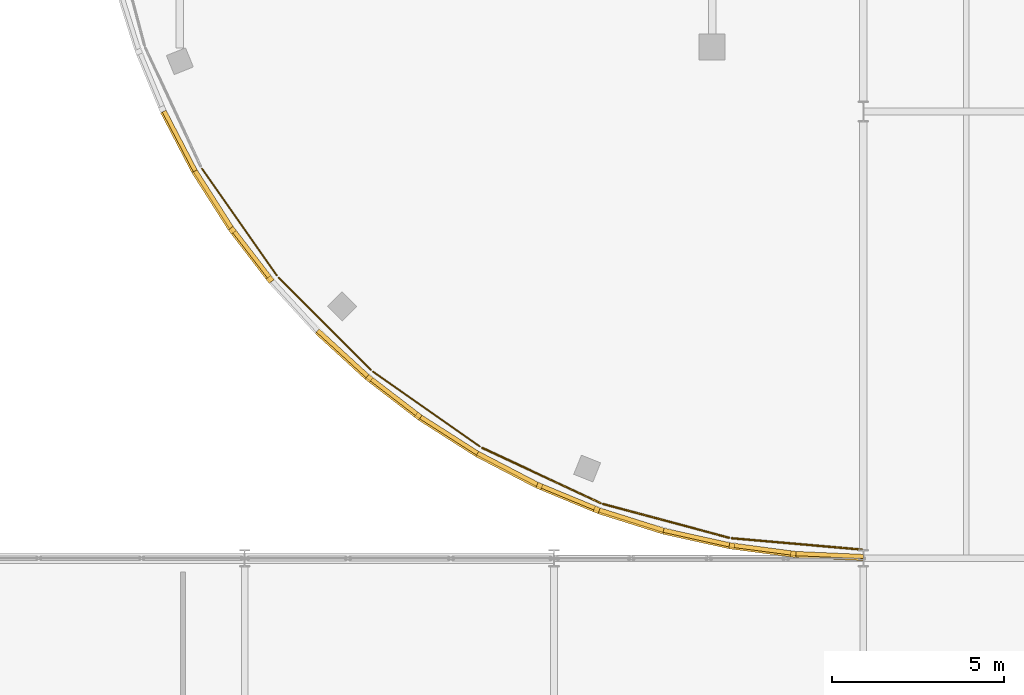
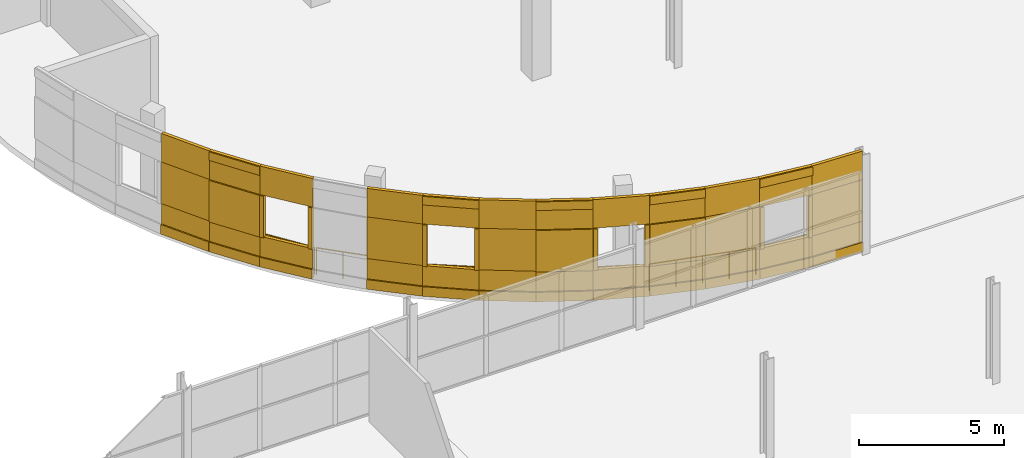
# One storey, part 128 of 140: 57 coverings, 6 railings.
"""IFC4 building model written with IfcOpenShell, lengths in metres."""

from ifc_helpers import new_model, si_unit, direction, frame, origin, origin_2d, place, context, subcontext, project, spatial, rectangle, circle, extrude, material, layer, layer_set, type_object, element, save


model = new_model("IFC4")

# Units and contexts
model_context = context("Model", 3, precision=1e-05, world=origin(), true_north=direction((0.0, 1.0)))
body_context = subcontext(model_context, "Body", "Model", "MODEL_VIEW")
ifc_project = project(units=[si_unit("LENGTHUNIT", "METRE"), si_unit("AREAUNIT", "SQUARE_METRE"), si_unit("VOLUMEUNIT", "CUBIC_METRE"), si_unit("PLANEANGLEUNIT", "RADIAN"), si_unit("MASSUNIT", "GRAM", prefix="KILO")], contexts=[model_context])

# Site, building, storey
site_placement = place(None, origin())
site = spatial("IfcSite", under=ifc_project, at=site_placement, CompositionType="ELEMENT")
building_placement = place(site_placement, origin())
building = spatial("IfcBuilding", under=site, at=building_placement, Name="Deido Ridge Mobility Hub", CompositionType="ELEMENT")
storey_placement = place(building_placement, origin())
storey = spatial("IfcBuildingStorey", under=building, at=storey_placement, Name="L00", CompositionType="ELEMENT", Elevation=0.0)

# Coverings
ifc_material_1 = material(Name="Fired clay brick masonry", Category="masonry")
ifc_layer = layer(ifc_material_1, 0.114990234375, Name="Fired clay brick masonry")
ifc_layer_set = layer_set([ifc_layer], Name="Fired clay brick masonry")
covering_type = type_object("IfcCoveringType", Name="COV-BRK-SCREEN-115", PredefinedType="CLADDING", material=ifc_layer_set)
covering_1_placement = place(storey_placement, frame((25.107666015625, 93.144775390625, 0.0), z_axis=(0.0, 0.0, 1.0), x_axis=(0.461733131905, -0.887018892077, 0.0)))
element("IfcCovering", 1, at=covering_1_placement, inside=storey, type_object=covering_type, Name="Open brickwork spandrel course BKS1 (L00)", PredefinedType="CLADDING", context=body_context, shape_type="SweptSolid", body=[
    extrude(rectangle(XDim=1.9619140625, YDim=0.125, at=origin_2d()), origin(), (0.0, 0.0, 1.0), 1.25),
])
covering_2_placement = place(storey_placement, frame((25.083251953125, 93.132080078125, 0.0), z_axis=(0.0, 0.0, 1.0), x_axis=(0.461733131905, -0.887018892077, 0.0)))
element("IfcCovering", 2, at=covering_2_placement, inside=storey, type_object=covering_type, Name="Raised brick relief belt BKS1 (L00)", PredefinedType="CLADDING", context=body_context, shape_type="SweptSolid", body=[
    extrude(rectangle(XDim=1.9619140625, YDim=0.179931640625, at=origin_2d()), origin(), (0.0, 0.0, 1.0), 0.39990234375),
])
covering_3_placement = place(storey_placement, frame((25.107666015625, 93.144775390625, 3.0), z_axis=(0.0, 0.0, 1.0), x_axis=(0.461733131905, -0.887018892077, 0.0)))
element("IfcCovering", 3, at=covering_3_placement, inside=storey, type_object=covering_type, Name="Open brickwork lintel course BKS1 (L00)", PredefinedType="CLADDING", context=body_context, shape_type="SweptSolid", body=[
    extrude(rectangle(XDim=1.9619140625, YDim=0.125, at=origin_2d()), origin(), (0.0, 0.0, 1.0), 1.199951171875),
])
covering_4_placement = place(storey_placement, frame((25.107666015625, 93.144775390625, 1.25), z_axis=(0.0, 0.0, 1.0), x_axis=(0.461733131905, -0.887018892077, 0.0)))
element("IfcCovering", 4, at=covering_4_placement, inside=storey, type_object=covering_type, Name="Curved raised brickwork pier BKS1 (L00)", PredefinedType="CLADDING", context=body_context, shape_type="SweptSolid", body=[
    extrude(rectangle(XDim=1.9619140625, YDim=0.125, at=origin_2d()), origin(), (0.0, 0.0, 1.0), 1.75),
])
covering_5_placement = place(storey_placement, frame((26.0859375, 91.450439453125, 0.0), z_axis=(0.0, 0.0, 1.0), x_axis=(0.537314328223, -0.843382068037, 0.0)))
element("IfcCovering", 5, at=covering_5_placement, inside=storey, type_object=covering_type, Name="Open brickwork spandrel course BKS1 (L00)", PredefinedType="CLADDING", context=body_context, shape_type="SweptSolid", body=[
    extrude(rectangle(XDim=1.9619140625, YDim=0.125, at=origin_2d()), origin(), (0.0, 0.0, 1.0), 1.25),
])
covering_6_placement = place(storey_placement, frame((26.062744140625, 91.435791015625, 0.0), z_axis=(0.0, 0.0, 1.0), x_axis=(0.537314328223, -0.843382068037, 0.0)))
element("IfcCovering", 6, at=covering_6_placement, inside=storey, type_object=covering_type, Name="Raised brick relief belt BKS1 (L00)", PredefinedType="CLADDING", context=body_context, shape_type="SweptSolid", body=[
    extrude(rectangle(XDim=1.9619140625, YDim=0.179931640625, at=origin_2d()), origin(), (0.0, 0.0, 1.0), 0.39990234375),
])
covering_7_placement = place(storey_placement, frame((26.0859375, 91.450439453125, 3.0), z_axis=(0.0, 0.0, 1.0), x_axis=(0.537314328223, -0.843382068037, 0.0)))
element("IfcCovering", 7, at=covering_7_placement, inside=storey, type_object=covering_type, Name="Open brickwork lintel course BKS1 (L00)", PredefinedType="CLADDING", context=body_context, shape_type="SweptSolid", body=[
    extrude(rectangle(XDim=1.9619140625, YDim=0.125, at=origin_2d()), origin(), (0.0, 0.0, 1.0), 1.199951171875),
])
covering_8_placement = place(storey_placement, frame((26.062744140625, 91.435791015625, 3.83984375), z_axis=(0.0, 0.0, 1.0), x_axis=(0.537314328223, -0.843382068037, 0.0)))
element("IfcCovering", 8, at=covering_8_placement, inside=storey, type_object=covering_type, Name="Raised brick relief cornice BKS1 (L00)", PredefinedType="CLADDING", context=body_context, shape_type="SweptSolid", body=[
    extrude(rectangle(XDim=1.9619140625, YDim=0.179931640625, at=origin_2d()), origin(), (0.0, 0.0, 1.0), 0.360107421875),
])
covering_9_placement = place(storey_placement, frame((26.062744140625, 91.435791015625, 1.25), z_axis=(0.0, 0.0, 1.0), x_axis=(0.537314328223, -0.843382068037, 0.0)))
element("IfcCovering", 9, at=covering_9_placement, inside=storey, type_object=covering_type, Name="Curved raised brickwork pier BKS1 (L00)", PredefinedType="CLADDING", context=body_context, shape_type="SweptSolid", body=[
    extrude(rectangle(XDim=1.9619140625, YDim=0.179931640625, at=origin_2d()), origin(), (0.0, 0.0, 1.0), 1.75),
])
covering_10_placement = place(storey_placement, frame((27.2080078125, 89.847900390625, 0.0), z_axis=(0.0, 0.0, 1.0), x_axis=(0.608761429009, -0.793353340291, 0.0)))
element("IfcCovering", 10, at=covering_10_placement, inside=storey, type_object=covering_type, Name="Open brickwork spandrel course BKS1 (L00)", PredefinedType="CLADDING", context=body_context, shape_type="SweptSolid", body=[
    extrude(rectangle(XDim=1.9619140625, YDim=0.125, at=origin_2d()), origin(), (0.0, 0.0, 1.0), 1.25),
])
covering_11_placement = place(storey_placement, frame((27.186279296875, 89.8310546875, 0.0), z_axis=(0.0, 0.0, 1.0), x_axis=(0.608761429009, -0.793353340291, 0.0)))
element("IfcCovering", 11, at=covering_11_placement, inside=storey, type_object=covering_type, Name="Raised brick relief belt BKS1 (L00)", PredefinedType="CLADDING", context=body_context, shape_type="SweptSolid", body=[
    extrude(rectangle(XDim=1.9619140625, YDim=0.179931640625, at=origin_2d()), origin(), (0.0, 0.0, 1.0), 0.39990234375),
])
covering_12_placement = place(storey_placement, frame((27.2080078125, 89.847900390625, 3.0), z_axis=(0.0, 0.0, 1.0), x_axis=(0.608761429009, -0.793353340291, 0.0)))
element("IfcCovering", 12, at=covering_12_placement, inside=storey, type_object=covering_type, Name="Open brickwork lintel course BKS1 (L00)", PredefinedType="CLADDING", context=body_context, shape_type="SweptSolid", body=[
    extrude(rectangle(XDim=1.9619140625, YDim=0.125, at=origin_2d()), origin(), (0.0, 0.0, 1.0), 1.199951171875),
])
for number, where, z_axis, x_axis, name in (
    (13, (26.6376953125, 90.5458984375, 1.25), (0.0, 0.0, 1.0), (0.608761429009, -0.793353340291, 0.0), "Curved brick jamb nib BKS1 (L00)"),
    (14, (27.73486328125, 89.1162109375, 1.25), (0.0, 0.0, 1.0), (0.608761429009, -0.793353340291, 0.0), "Curved brick jamb nib BKS1 (L00)"),
):
    element("IfcCovering", number, at=place(storey_placement, frame(where, z_axis=z_axis, x_axis=x_axis)), inside=storey, type_object=covering_type, Name=name, PredefinedType="CLADDING", context=body_context, shape_type="SweptSolid", body=[
        extrude(rectangle(XDim=0.152099609375, YDim=0.179931640625, at=origin_2d()), origin(), (0.0, 0.0, 1.0), 1.75),
    ])
covering_13_placement = place(storey_placement, frame((29.84912109375, 86.9658203125, 0.0), z_axis=(0.0, 0.0, 1.0), x_axis=(0.737289127971, -0.675577339596, 0.0)))
element("IfcCovering", 15, at=covering_13_placement, inside=storey, type_object=covering_type, Name="Open brickwork spandrel course BKS1 (L00)", PredefinedType="CLADDING", context=body_context, shape_type="SweptSolid", body=[
    extrude(rectangle(XDim=1.9619140625, YDim=0.125, at=origin_2d()), origin(), (0.0, 0.0, 1.0), 1.25),
])
covering_14_placement = place(storey_placement, frame((29.83056640625, 86.9453125, 0.0), z_axis=(0.0, 0.0, 1.0), x_axis=(0.737289127971, -0.675577339596, 0.0)))
element("IfcCovering", 16, at=covering_14_placement, inside=storey, type_object=covering_type, Name="Raised brick relief belt BKS1 (L00)", PredefinedType="CLADDING", context=body_context, shape_type="SweptSolid", body=[
    extrude(rectangle(XDim=1.9619140625, YDim=0.179931640625, at=origin_2d()), origin(), (0.0, 0.0, 1.0), 0.39990234375),
])
covering_15_placement = place(storey_placement, frame((29.84912109375, 86.9658203125, 3.0), z_axis=(0.0, 0.0, 1.0), x_axis=(0.737289127971, -0.675577339596, 0.0)))
element("IfcCovering", 17, at=covering_15_placement, inside=storey, type_object=covering_type, Name="Open brickwork lintel course BKS1 (L00)", PredefinedType="CLADDING", context=body_context, shape_type="SweptSolid", body=[
    extrude(rectangle(XDim=1.9619140625, YDim=0.125, at=origin_2d()), origin(), (0.0, 0.0, 1.0), 1.199951171875),
])
covering_16_placement = place(storey_placement, frame((29.84912109375, 86.9658203125, 1.25), z_axis=(0.0, 0.0, 1.0), x_axis=(0.737289127971, -0.675577339596, 0.0)))
element("IfcCovering", 18, at=covering_16_placement, inside=storey, type_object=covering_type, Name="Curved raised brickwork pier BKS1 (L00)", PredefinedType="CLADDING", context=body_context, shape_type="SweptSolid", body=[
    extrude(rectangle(XDim=1.9619140625, YDim=0.125, at=origin_2d()), origin(), (0.0, 0.0, 1.0), 1.75),
])
covering_17_placement = place(storey_placement, frame((31.347900390625, 85.7080078125, 0.0), z_axis=(0.0, 0.0, 1.0), x_axis=(0.793353340291, -0.608761429009, 0.0)))
element("IfcCovering", 19, at=covering_17_placement, inside=storey, type_object=covering_type, Name="Open brickwork spandrel course BKS1 (L00)", PredefinedType="CLADDING", context=body_context, shape_type="SweptSolid", body=[
    extrude(rectangle(XDim=1.9619140625, YDim=0.125, at=origin_2d()), origin(), (0.0, 0.0, 1.0), 1.25),
])
covering_18_placement = place(storey_placement, frame((31.3310546875, 85.686279296875, 0.0), z_axis=(0.0, 0.0, 1.0), x_axis=(0.793353340291, -0.608761429009, 0.0)))
element("IfcCovering", 20, at=covering_18_placement, inside=storey, type_object=covering_type, Name="Raised brick relief belt BKS1 (L00)", PredefinedType="CLADDING", context=body_context, shape_type="SweptSolid", body=[
    extrude(rectangle(XDim=1.9619140625, YDim=0.179931640625, at=origin_2d()), origin(), (0.0, 0.0, 1.0), 0.39990234375),
])
covering_19_placement = place(storey_placement, frame((31.347900390625, 85.7080078125, 3.0), z_axis=(0.0, 0.0, 1.0), x_axis=(0.793353340291, -0.608761429009, 0.0)))
element("IfcCovering", 21, at=covering_19_placement, inside=storey, type_object=covering_type, Name="Open brickwork lintel course BKS1 (L00)", PredefinedType="CLADDING", context=body_context, shape_type="SweptSolid", body=[
    extrude(rectangle(XDim=1.9619140625, YDim=0.125, at=origin_2d()), origin(), (0.0, 0.0, 1.0), 1.199951171875),
])
covering_20_placement = place(storey_placement, frame((31.3310546875, 85.686279296875, 3.83984375), z_axis=(0.0, 0.0, 1.0), x_axis=(0.793353340291, -0.608761429009, 0.0)))
element("IfcCovering", 22, at=covering_20_placement, inside=storey, type_object=covering_type, Name="Raised brick relief cornice BKS1 (L00)", PredefinedType="CLADDING", context=body_context, shape_type="SweptSolid", body=[
    extrude(rectangle(XDim=1.9619140625, YDim=0.179931640625, at=origin_2d()), origin(), (0.0, 0.0, 1.0), 0.360107421875),
])
for number, where, z_axis, x_axis, name in (
    (23, (30.6162109375, 86.23486328125, 1.25), (0.0, 0.0, 1.0), (0.793353340291, -0.608761429009, 0.0), "Curved brick jamb nib BKS1 (L00)"),
    (24, (32.0458984375, 85.1376953125, 1.25), (0.0, 0.0, 1.0), (0.793353340291, -0.608761429009, 0.0), "Curved brick jamb nib BKS1 (L00)"),
):
    element("IfcCovering", number, at=place(storey_placement, frame(where, z_axis=z_axis, x_axis=x_axis)), inside=storey, type_object=covering_type, Name=name, PredefinedType="CLADDING", context=body_context, shape_type="SweptSolid", body=[
        extrude(rectangle(XDim=0.152099609375, YDim=0.179931640625, at=origin_2d()), origin(), (0.0, 0.0, 1.0), 1.75),
    ])
covering_21_placement = place(storey_placement, frame((32.950439453125, 84.5859375, 0.0), z_axis=(0.0, 0.0, 1.0), x_axis=(0.843382068037, -0.537314328223, 0.0)))
element("IfcCovering", 25, at=covering_21_placement, inside=storey, type_object=covering_type, Name="Open brickwork spandrel course BKS1 (L00)", PredefinedType="CLADDING", context=body_context, shape_type="SweptSolid", body=[
    extrude(rectangle(XDim=1.9619140625, YDim=0.125, at=origin_2d()), origin(), (0.0, 0.0, 1.0), 1.25),
])
covering_22_placement = place(storey_placement, frame((32.935791015625, 84.562744140625, 0.0), z_axis=(0.0, 0.0, 1.0), x_axis=(0.843382068037, -0.537314328223, 0.0)))
element("IfcCovering", 26, at=covering_22_placement, inside=storey, type_object=covering_type, Name="Raised brick relief belt BKS1 (L00)", PredefinedType="CLADDING", context=body_context, shape_type="SweptSolid", body=[
    extrude(rectangle(XDim=1.9619140625, YDim=0.179931640625, at=origin_2d()), origin(), (0.0, 0.0, 1.0), 0.39990234375),
])
covering_23_placement = place(storey_placement, frame((32.950439453125, 84.5859375, 3.0), z_axis=(0.0, 0.0, 1.0), x_axis=(0.843382068037, -0.537314328223, 0.0)))
element("IfcCovering", 27, at=covering_23_placement, inside=storey, type_object=covering_type, Name="Open brickwork lintel course BKS1 (L00)", PredefinedType="CLADDING", context=body_context, shape_type="SweptSolid", body=[
    extrude(rectangle(XDim=1.9619140625, YDim=0.125, at=origin_2d()), origin(), (0.0, 0.0, 1.0), 1.199951171875),
])
covering_24_placement = place(storey_placement, frame((32.950439453125, 84.5859375, 1.25), z_axis=(0.0, 0.0, 1.0), x_axis=(0.843382068037, -0.537314328223, 0.0)))
element("IfcCovering", 28, at=covering_24_placement, inside=storey, type_object=covering_type, Name="Curved raised brickwork pier BKS1 (L00)", PredefinedType="CLADDING", context=body_context, shape_type="SweptSolid", body=[
    extrude(rectangle(XDim=1.9619140625, YDim=0.125, at=origin_2d()), origin(), (0.0, 0.0, 1.0), 1.75),
])
covering_25_placement = place(storey_placement, frame((34.644775390625, 83.607666015625, 0.0), z_axis=(0.0, 0.0, 1.0), x_axis=(0.887018892077, -0.461733131905, 0.0)))
element("IfcCovering", 29, at=covering_25_placement, inside=storey, type_object=covering_type, Name="Open brickwork spandrel course BKS1 (L00)", PredefinedType="CLADDING", context=body_context, shape_type="SweptSolid", body=[
    extrude(rectangle(XDim=1.9619140625, YDim=0.125, at=origin_2d()), origin(), (0.0, 0.0, 1.0), 1.25),
])
covering_26_placement = place(storey_placement, frame((34.632080078125, 83.583251953125, 0.0), z_axis=(0.0, 0.0, 1.0), x_axis=(0.887018892077, -0.461733131905, 0.0)))
element("IfcCovering", 30, at=covering_26_placement, inside=storey, type_object=covering_type, Name="Raised brick relief belt BKS1 (L00)", PredefinedType="CLADDING", context=body_context, shape_type="SweptSolid", body=[
    extrude(rectangle(XDim=1.9619140625, YDim=0.179931640625, at=origin_2d()), origin(), (0.0, 0.0, 1.0), 0.39990234375),
])
covering_27_placement = place(storey_placement, frame((34.644775390625, 83.607666015625, 3.0), z_axis=(0.0, 0.0, 1.0), x_axis=(0.887018892077, -0.461733131905, 0.0)))
element("IfcCovering", 31, at=covering_27_placement, inside=storey, type_object=covering_type, Name="Open brickwork lintel course BKS1 (L00)", PredefinedType="CLADDING", context=body_context, shape_type="SweptSolid", body=[
    extrude(rectangle(XDim=1.9619140625, YDim=0.125, at=origin_2d()), origin(), (0.0, 0.0, 1.0), 1.199951171875),
])
covering_28_placement = place(storey_placement, frame((34.632080078125, 83.583251953125, 3.83984375), z_axis=(0.0, 0.0, 1.0), x_axis=(0.887018892077, -0.461733131905, 0.0)))
element("IfcCovering", 32, at=covering_28_placement, inside=storey, type_object=covering_type, Name="Raised brick relief cornice BKS1 (L00)", PredefinedType="CLADDING", context=body_context, shape_type="SweptSolid", body=[
    extrude(rectangle(XDim=1.9619140625, YDim=0.179931640625, at=origin_2d()), origin(), (0.0, 0.0, 1.0), 0.360107421875),
])
covering_29_placement = place(storey_placement, frame((34.632080078125, 83.583251953125, 1.25), z_axis=(0.0, 0.0, 1.0), x_axis=(0.887018892077, -0.461733131905, 0.0)))
element("IfcCovering", 33, at=covering_29_placement, inside=storey, type_object=covering_type, Name="Curved raised brickwork pier BKS1 (L00)", PredefinedType="CLADDING", context=body_context, shape_type="SweptSolid", body=[
    extrude(rectangle(XDim=1.9619140625, YDim=0.179931640625, at=origin_2d()), origin(), (0.0, 0.0, 1.0), 1.75),
])
covering_30_placement = place(storey_placement, frame((36.41796875, 82.781005859375, 0.0), z_axis=(0.0, 0.0, 1.0), x_axis=(0.923872853285, -0.382699557047, 0.0)))
element("IfcCovering", 34, at=covering_30_placement, inside=storey, type_object=covering_type, Name="Open brickwork spandrel course BKS1 (L00)", PredefinedType="CLADDING", context=body_context, shape_type="SweptSolid", body=[
    extrude(rectangle(XDim=1.9619140625, YDim=0.125, at=origin_2d()), origin(), (0.0, 0.0, 1.0), 1.25),
])
covering_31_placement = place(storey_placement, frame((36.4072265625, 82.755615234375, 0.0), z_axis=(0.0, 0.0, 1.0), x_axis=(0.923872853285, -0.382699557047, 0.0)))
element("IfcCovering", 35, at=covering_31_placement, inside=storey, type_object=covering_type, Name="Raised brick relief belt BKS1 (L00)", PredefinedType="CLADDING", context=body_context, shape_type="SweptSolid", body=[
    extrude(rectangle(XDim=1.9619140625, YDim=0.179931640625, at=origin_2d()), origin(), (0.0, 0.0, 1.0), 0.39990234375),
])
covering_32_placement = place(storey_placement, frame((36.41796875, 82.781005859375, 3.0), z_axis=(0.0, 0.0, 1.0), x_axis=(0.923872853285, -0.382699557047, 0.0)))
element("IfcCovering", 36, at=covering_32_placement, inside=storey, type_object=covering_type, Name="Open brickwork lintel course BKS1 (L00)", PredefinedType="CLADDING", context=body_context, shape_type="SweptSolid", body=[
    extrude(rectangle(XDim=1.9619140625, YDim=0.125, at=origin_2d()), origin(), (0.0, 0.0, 1.0), 1.199951171875),
])
for number, where, z_axis, x_axis, name in (
    (37, (35.574951171875, 83.100341796875, 1.25), (0.0, 0.0, 1.0), (0.923872853285, -0.382699557047, 0.0), "Curved brick jamb nib BKS1 (L00)"),
    (38, (37.23974609375, 82.41064453125, 1.25), (0.0, 0.0, 1.0), (0.923872853285, -0.382699557047, 0.0), "Curved brick jamb nib BKS1 (L00)"),
):
    element("IfcCovering", number, at=place(storey_placement, frame(where, z_axis=z_axis, x_axis=x_axis)), inside=storey, type_object=covering_type, Name=name, PredefinedType="CLADDING", context=body_context, shape_type="SweptSolid", body=[
        extrude(rectangle(XDim=0.152099609375, YDim=0.179931640625, at=origin_2d()), origin(), (0.0, 0.0, 1.0), 1.75),
    ])
covering_33_placement = place(storey_placement, frame((38.25634765625, 82.11181640625, 0.0), z_axis=(0.0, 0.0, 1.0), x_axis=(0.95372744678, -0.300672508319, 0.0)))
element("IfcCovering", 39, at=covering_33_placement, inside=storey, type_object=covering_type, Name="Open brickwork spandrel course BKS1 (L00)", PredefinedType="CLADDING", context=body_context, shape_type="SweptSolid", body=[
    extrude(rectangle(XDim=1.9619140625, YDim=0.125, at=origin_2d()), origin(), (0.0, 0.0, 1.0), 1.25),
])
covering_34_placement = place(storey_placement, frame((38.248046875, 82.085693359375, 0.0), z_axis=(0.0, 0.0, 1.0), x_axis=(0.95372744678, -0.300672508319, 0.0)))
element("IfcCovering", 40, at=covering_34_placement, inside=storey, type_object=covering_type, Name="Raised brick relief belt BKS1 (L00)", PredefinedType="CLADDING", context=body_context, shape_type="SweptSolid", body=[
    extrude(rectangle(XDim=1.9619140625, YDim=0.179931640625, at=origin_2d()), origin(), (0.0, 0.0, 1.0), 0.39990234375),
])
covering_35_placement = place(storey_placement, frame((38.25634765625, 82.11181640625, 3.0), z_axis=(0.0, 0.0, 1.0), x_axis=(0.95372744678, -0.300672508319, 0.0)))
element("IfcCovering", 41, at=covering_35_placement, inside=storey, type_object=covering_type, Name="Open brickwork lintel course BKS1 (L00)", PredefinedType="CLADDING", context=body_context, shape_type="SweptSolid", body=[
    extrude(rectangle(XDim=1.9619140625, YDim=0.125, at=origin_2d()), origin(), (0.0, 0.0, 1.0), 1.199951171875),
])
covering_36_placement = place(storey_placement, frame((38.248046875, 82.085693359375, 3.83984375), z_axis=(0.0, 0.0, 1.0), x_axis=(0.95372744678, -0.300672508319, 0.0)))
element("IfcCovering", 42, at=covering_36_placement, inside=storey, type_object=covering_type, Name="Raised brick relief cornice BKS1 (L00)", PredefinedType="CLADDING", context=body_context, shape_type="SweptSolid", body=[
    extrude(rectangle(XDim=1.9619140625, YDim=0.179931640625, at=origin_2d()), origin(), (0.0, 0.0, 1.0), 0.360107421875),
])
covering_37_placement = place(storey_placement, frame((38.248046875, 82.085693359375, 1.25), z_axis=(0.0, 0.0, 1.0), x_axis=(0.95372744678, -0.300672508319, 0.0)))
element("IfcCovering", 43, at=covering_37_placement, inside=storey, type_object=covering_type, Name="Curved raised brickwork pier BKS1 (L00)", PredefinedType="CLADDING", context=body_context, shape_type="SweptSolid", body=[
    extrude(rectangle(XDim=1.9619140625, YDim=0.179931640625, at=origin_2d()), origin(), (0.0, 0.0, 1.0), 1.75),
])
covering_38_placement = place(storey_placement, frame((40.14599609375, 81.60546875, 0.0), z_axis=(0.0, 0.0, 1.0), x_axis=(0.976292229387, -0.216456653485, 0.0)))
element("IfcCovering", 44, at=covering_38_placement, inside=storey, type_object=covering_type, Name="Open brickwork spandrel course BKS1 (L00)", PredefinedType="CLADDING", context=body_context, shape_type="SweptSolid", body=[
    extrude(rectangle(XDim=1.9619140625, YDim=0.125, at=origin_2d()), origin(), (0.0, 0.0, 1.0), 1.25),
])
covering_39_placement = place(storey_placement, frame((40.14013671875, 81.57861328125, 0.0), z_axis=(0.0, 0.0, 1.0), x_axis=(0.976292229387, -0.216456653485, 0.0)))
element("IfcCovering", 45, at=covering_39_placement, inside=storey, type_object=covering_type, Name="Raised brick relief belt BKS1 (L00)", PredefinedType="CLADDING", context=body_context, shape_type="SweptSolid", body=[
    extrude(rectangle(XDim=1.9619140625, YDim=0.179931640625, at=origin_2d()), origin(), (0.0, 0.0, 1.0), 0.39990234375),
])
covering_40_placement = place(storey_placement, frame((40.14599609375, 81.60546875, 3.0), z_axis=(0.0, 0.0, 1.0), x_axis=(0.976292229387, -0.216456653485, 0.0)))
element("IfcCovering", 46, at=covering_40_placement, inside=storey, type_object=covering_type, Name="Open brickwork lintel course BKS1 (L00)", PredefinedType="CLADDING", context=body_context, shape_type="SweptSolid", body=[
    extrude(rectangle(XDim=1.9619140625, YDim=0.125, at=origin_2d()), origin(), (0.0, 0.0, 1.0), 1.199951171875),
])
covering_41_placement = place(storey_placement, frame((40.14599609375, 81.60546875, 1.25), z_axis=(0.0, 0.0, 1.0), x_axis=(0.976292229387, -0.216456653485, 0.0)))
element("IfcCovering", 47, at=covering_41_placement, inside=storey, type_object=covering_type, Name="Curved raised brickwork pier BKS1 (L00)", PredefinedType="CLADDING", context=body_context, shape_type="SweptSolid", body=[
    extrude(rectangle(XDim=1.9619140625, YDim=0.125, at=origin_2d()), origin(), (0.0, 0.0, 1.0), 1.75),
])
covering_42_placement = place(storey_placement, frame((42.07275390625, 81.265625, 0.0), z_axis=(0.0, 0.0, 1.0), x_axis=(0.991442583111, -0.130543496177, 0.0)))
element("IfcCovering", 48, at=covering_42_placement, inside=storey, type_object=covering_type, Name="Open brickwork spandrel course BKS1 (L00)", PredefinedType="CLADDING", context=body_context, shape_type="SweptSolid", body=[
    extrude(rectangle(XDim=1.9619140625, YDim=0.125, at=origin_2d()), origin(), (0.0, 0.0, 1.0), 1.25),
])
covering_43_placement = place(storey_placement, frame((42.069091796875, 81.23828125, 0.0), z_axis=(0.0, 0.0, 1.0), x_axis=(0.991442583111, -0.130543496177, 0.0)))
element("IfcCovering", 49, at=covering_43_placement, inside=storey, type_object=covering_type, Name="Raised brick relief belt BKS1 (L00)", PredefinedType="CLADDING", context=body_context, shape_type="SweptSolid", body=[
    extrude(rectangle(XDim=1.9619140625, YDim=0.179931640625, at=origin_2d()), origin(), (0.0, 0.0, 1.0), 0.39990234375),
])
covering_44_placement = place(storey_placement, frame((42.07275390625, 81.265625, 3.0), z_axis=(0.0, 0.0, 1.0), x_axis=(0.991442583111, -0.130543496177, 0.0)))
element("IfcCovering", 50, at=covering_44_placement, inside=storey, type_object=covering_type, Name="Open brickwork lintel course BKS1 (L00)", PredefinedType="CLADDING", context=body_context, shape_type="SweptSolid", body=[
    extrude(rectangle(XDim=1.9619140625, YDim=0.125, at=origin_2d()), origin(), (0.0, 0.0, 1.0), 1.199951171875),
])
covering_45_placement = place(storey_placement, frame((42.069091796875, 81.23828125, 3.83984375), z_axis=(0.0, 0.0, 1.0), x_axis=(0.991442583111, -0.130543496177, 0.0)))
element("IfcCovering", 51, at=covering_45_placement, inside=storey, type_object=covering_type, Name="Raised brick relief cornice BKS1 (L00)", PredefinedType="CLADDING", context=body_context, shape_type="SweptSolid", body=[
    extrude(rectangle(XDim=1.9619140625, YDim=0.179931640625, at=origin_2d()), origin(), (0.0, 0.0, 1.0), 0.360107421875),
])
for number, where, z_axis, x_axis, name in (
    (52, (41.17578125, 81.35595703125, 1.25), (0.0, 0.0, 1.0), (0.991442583111, -0.130543496177, 0.0), "Curved brick jamb nib BKS1 (L00)"),
    (53, (42.96240234375, 81.120849609375, 1.25), (0.0, 0.0, 1.0), (0.991442583111, -0.130543496177, 0.0), "Curved brick jamb nib BKS1 (L00)"),
):
    element("IfcCovering", number, at=place(storey_placement, frame(where, z_axis=z_axis, x_axis=x_axis)), inside=storey, type_object=covering_type, Name=name, PredefinedType="CLADDING", context=body_context, shape_type="SweptSolid", body=[
        extrude(rectangle(XDim=0.152099609375, YDim=0.179931640625, at=origin_2d()), origin(), (0.0, 0.0, 1.0), 1.75),
    ])
covering_46_placement = place(storey_placement, frame((44.021728515625, 81.09521484375, 0.0), z_axis=(0.0, 0.0, 1.0), x_axis=(0.999048982732, -0.043601950678, 0.0)))
element("IfcCovering", 54, at=covering_46_placement, inside=storey, type_object=covering_type, Name="Open brickwork spandrel course BKS1 (L00)", PredefinedType="CLADDING", context=body_context, shape_type="SweptSolid", body=[
    extrude(rectangle(XDim=1.9619140625, YDim=0.125, at=origin_2d()), origin(), (0.0, 0.0, 1.0), 1.25),
])
covering_47_placement = place(storey_placement, frame((44.0205078125, 81.067626953125, 0.0), z_axis=(0.0, 0.0, 1.0), x_axis=(0.999048982732, -0.043601950678, 0.0)))
element("IfcCovering", 55, at=covering_47_placement, inside=storey, type_object=covering_type, Name="Raised brick relief belt BKS1 (L00)", PredefinedType="CLADDING", context=body_context, shape_type="SweptSolid", body=[
    extrude(rectangle(XDim=1.9619140625, YDim=0.179931640625, at=origin_2d()), origin(), (0.0, 0.0, 1.0), 0.39990234375),
])
covering_48_placement = place(storey_placement, frame((44.021728515625, 81.09521484375, 3.0), z_axis=(0.0, 0.0, 1.0), x_axis=(0.999048982732, -0.043601950678, 0.0)))
element("IfcCovering", 56, at=covering_48_placement, inside=storey, type_object=covering_type, Name="Open brickwork lintel course BKS1 (L00)", PredefinedType="CLADDING", context=body_context, shape_type="SweptSolid", body=[
    extrude(rectangle(XDim=1.9619140625, YDim=0.125, at=origin_2d()), origin(), (0.0, 0.0, 1.0), 1.199951171875),
])
covering_49_placement = place(storey_placement, frame((44.021728515625, 81.09521484375, 1.25), z_axis=(0.0, 0.0, 1.0), x_axis=(0.999048982732, -0.043601950678, 0.0)))
element("IfcCovering", 57, at=covering_49_placement, inside=storey, type_object=covering_type, Name="Curved raised brickwork pier BKS1 (L00)", PredefinedType="CLADDING", context=body_context, shape_type="SweptSolid", body=[
    extrude(rectangle(XDim=1.9619140625, YDim=0.125, at=origin_2d()), origin(), (0.0, 0.0, 1.0), 1.75),
])

# Railings
ifc_material_2 = material(Name="Galvanised steel work", Category="steel")
railing_type = type_object("IfcRailingType", Name="RL-GRD-EXT-1150", PredefinedType="GUARDRAIL", material=ifc_material_2)
railing_1_placement = place(storey_placement, frame((25.75390625, 92.34228515625, 0.0)))
element("IfcRailing", 58, at=railing_1_placement, inside=storey, type_object=railing_type, Name="Parking drum perimeter guard (L00)", PredefinedType="GUARDRAIL", context=body_context, shape_type="SweptSolid", body=[
    extrude(circle(Radius=0.02392578125, at=origin_2d()), frame((0.0, 0.0, 1.1259765625), z_axis=(0.573570179609, -0.819156425271, 0.0), x_axis=(0.819156425271, 0.573570179609, 0.0)), (0.0, 0.0, 1.0), 3.798583984375),
    extrude(circle(Radius=0.02099609375, at=origin_2d()), origin(), (0.0, 0.0, 1.0), 1.101806640625),
    extrude(circle(Radius=0.02099609375, at=origin_2d()), frame((0.544677734375, -0.77783203125, 0.0)), (0.0, 0.0, 1.0), 1.101806640625),
    extrude(circle(Radius=0.02099609375, at=origin_2d()), frame((1.08935546875, -1.5556640625, 0.0)), (0.0, 0.0, 1.0), 1.101806640625),
    extrude(circle(Radius=0.02099609375, at=origin_2d()), frame((1.634033203125, -2.333740234375, 0.0)), (0.0, 0.0, 1.0), 1.101806640625),
    extrude(circle(Radius=0.02099609375, at=origin_2d()), frame((2.1787109375, -3.111572265625, 0.0)), (0.0, 0.0, 1.0), 1.101806640625),
])
railing_2_placement = place(storey_placement, frame((27.98388671875, 89.169677734375, 0.0)))
element("IfcRailing", 59, at=railing_2_placement, inside=storey, type_object=railing_type, Name="Parking drum perimeter guard (L00)", PredefinedType="GUARDRAIL", context=body_context, shape_type="SweptSolid", body=[
    extrude(circle(Radius=0.02392578125, at=origin_2d()), frame((0.0, 0.0, 1.1259765625), z_axis=(0.707106781187, -0.707106781187, 0.0), x_axis=(0.707106781187, 0.707106781187, 0.0)), (0.0, 0.0, 1.0), 3.79833984375),
    extrude(circle(Radius=0.02099609375, at=origin_2d()), origin(), (0.0, 0.0, 1.0), 1.101806640625),
    extrude(circle(Radius=0.02099609375, at=origin_2d()), frame((0.67138671875, -0.67138671875, 0.0)), (0.0, 0.0, 1.0), 1.101806640625),
    extrude(circle(Radius=0.02099609375, at=origin_2d()), frame((1.3427734375, -1.3427734375, 0.0)), (0.0, 0.0, 1.0), 1.101806640625),
    extrude(circle(Radius=0.02099609375, at=origin_2d()), frame((2.014404296875, -2.014404296875, 0.0)), (0.0, 0.0, 1.0), 1.101806640625),
    extrude(circle(Radius=0.02099609375, at=origin_2d()), frame((2.685791015625, -2.685791015625, 0.0)), (0.0, 0.0, 1.0), 1.101806640625),
])
railing_3_placement = place(storey_placement, frame((30.730712890625, 86.4326171875, 0.0)))
element("IfcRailing", 60, at=railing_3_placement, inside=storey, type_object=railing_type, Name="Parking drum perimeter guard (L00)", PredefinedType="GUARDRAIL", context=body_context, shape_type="SweptSolid", body=[
    extrude(circle(Radius=0.02392578125, at=origin_2d()), frame((0.0, 0.0, 1.1259765625), z_axis=(0.819156425271, -0.573570179609, 0.0), x_axis=(0.573570179609, 0.819156425271, 0.0)), (0.0, 0.0, 1.0), 3.798583984375),
    extrude(circle(Radius=0.02099609375, at=origin_2d()), origin(), (0.0, 0.0, 1.0), 1.101806640625),
    extrude(circle(Radius=0.02099609375, at=origin_2d()), frame((0.77783203125, -0.544677734375, 0.0)), (0.0, 0.0, 1.0), 1.101806640625),
    extrude(circle(Radius=0.02099609375, at=origin_2d()), frame((1.5556640625, -1.08935546875, 0.0)), (0.0, 0.0, 1.0), 1.101806640625),
    extrude(circle(Radius=0.02099609375, at=origin_2d()), frame((2.333740234375, -1.634033203125, 0.0)), (0.0, 0.0, 1.0), 1.101806640625),
    extrude(circle(Radius=0.02099609375, at=origin_2d()), frame((3.111572265625, -2.1787109375, 0.0)), (0.0, 0.0, 1.0), 1.101806640625),
])
railing_4_placement = place(storey_placement, frame((33.911376953125, 84.214111328125, 0.0)))
element("IfcRailing", 61, at=railing_4_placement, inside=storey, type_object=railing_type, Name="Parking drum perimeter guard (L00)", PredefinedType="GUARDRAIL", context=body_context, shape_type="SweptSolid", body=[
    extrude(circle(Radius=0.02392578125, at=origin_2d()), frame((0.0, 0.0, 1.1259765625), z_axis=(0.906281639574, -0.422674330627, 0.0), x_axis=(0.422674330627, 0.906281639574, 0.0)), (0.0, 0.0, 1.0), 3.79833984375),
    extrude(circle(Radius=0.02099609375, at=origin_2d()), origin(), (0.0, 0.0, 1.0), 1.101806640625),
    extrude(circle(Radius=0.02099609375, at=origin_2d()), frame((0.860595703125, -0.4013671875, 0.0)), (0.0, 0.0, 1.0), 1.101806640625),
    extrude(circle(Radius=0.02099609375, at=origin_2d()), frame((1.72119140625, -0.802734375, 0.0)), (0.0, 0.0, 1.0), 1.101806640625),
    extrude(circle(Radius=0.02099609375, at=origin_2d()), frame((2.581787109375, -1.2041015625, 0.0)), (0.0, 0.0, 1.0), 1.101806640625),
    extrude(circle(Radius=0.02099609375, at=origin_2d()), frame((3.4423828125, -1.60546875, 0.0)), (0.0, 0.0, 1.0), 1.101806640625),
])
railing_5_placement = place(storey_placement, frame((37.4287109375, 82.581298828125, 0.0)))
element("IfcRailing", 62, at=railing_5_placement, inside=storey, type_object=railing_type, Name="Parking drum perimeter guard (L00)", PredefinedType="GUARDRAIL", context=body_context, shape_type="SweptSolid", body=[
    extrude(circle(Radius=0.02392578125, at=origin_2d()), frame((0.0, 0.0, 1.1259765625), z_axis=(0.965937723757, -0.258774639064, 0.0), x_axis=(0.258774639064, 0.965937723757, 0.0)), (0.0, 0.0, 1.0), 3.79833984375),
    extrude(circle(Radius=0.02099609375, at=origin_2d()), origin(), (0.0, 0.0, 1.0), 1.101806640625),
    extrude(circle(Radius=0.02099609375, at=origin_2d()), frame((0.917236328125, -0.24560546875, 0.0)), (0.0, 0.0, 1.0), 1.101806640625),
    extrude(circle(Radius=0.02099609375, at=origin_2d()), frame((1.83447265625, -0.491455078125, 0.0)), (0.0, 0.0, 1.0), 1.101806640625),
    extrude(circle(Radius=0.02099609375, at=origin_2d()), frame((2.751708984375, -0.7373046875, 0.0)), (0.0, 0.0, 1.0), 1.101806640625),
    extrude(circle(Radius=0.02099609375, at=origin_2d()), frame((3.6689453125, -0.98291015625, 0.0)), (0.0, 0.0, 1.0), 1.101806640625),
])
railing_6_placement = place(storey_placement, frame((41.176025390625, 81.58447265625, 0.0)))
element("IfcRailing", 63, at=railing_6_placement, inside=storey, type_object=railing_type, Name="Parking drum perimeter guard (L00)", PredefinedType="GUARDRAIL", context=body_context, shape_type="SweptSolid", body=[
    extrude(circle(Radius=0.02392578125, at=origin_2d()), frame((0.0, 0.0, 1.1259765625), z_axis=(0.996195112607, -0.08715100469, 0.0), x_axis=(0.08715100469, 0.996195112607, 0.0)), (0.0, 0.0, 1.0), 3.798583984375),
    extrude(circle(Radius=0.02099609375, at=origin_2d()), origin(), (0.0, 0.0, 1.0), 1.101806640625),
    extrude(circle(Radius=0.02099609375, at=origin_2d()), frame((0.946044921875, -0.082763671875, 0.0)), (0.0, 0.0, 1.0), 1.101806640625),
    extrude(circle(Radius=0.02099609375, at=origin_2d()), frame((1.89208984375, -0.16552734375, 0.0)), (0.0, 0.0, 1.0), 1.101806640625),
    extrude(circle(Radius=0.02099609375, at=origin_2d()), frame((2.838134765625, -0.248291015625, 0.0)), (0.0, 0.0, 1.0), 1.101806640625),
    extrude(circle(Radius=0.02099609375, at=origin_2d()), frame((3.7841796875, -0.3310546875, 0.0)), (0.0, 0.0, 1.0), 1.101806640625),
])

save(model, "model.ifc")
